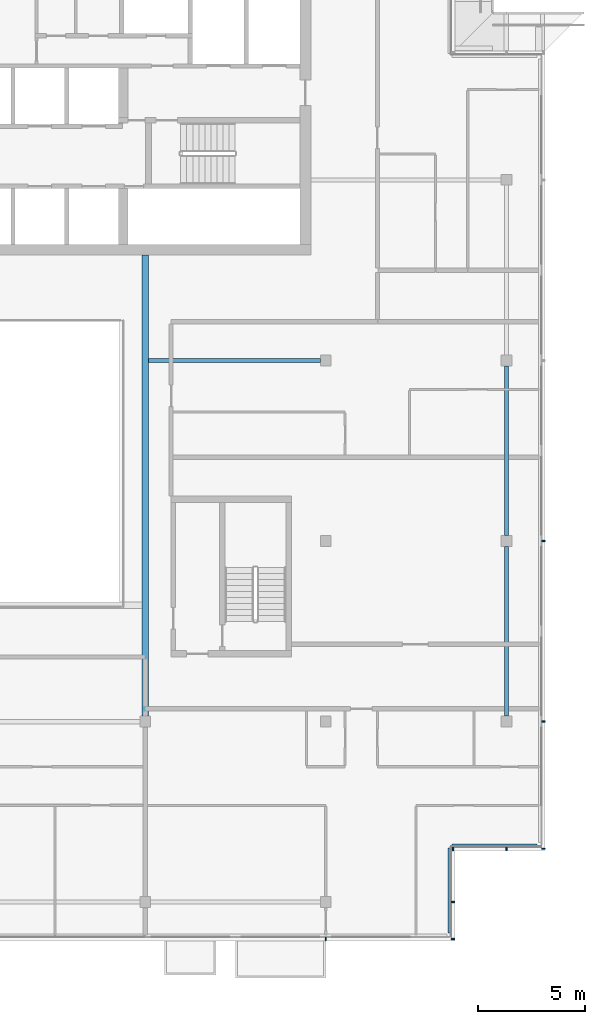
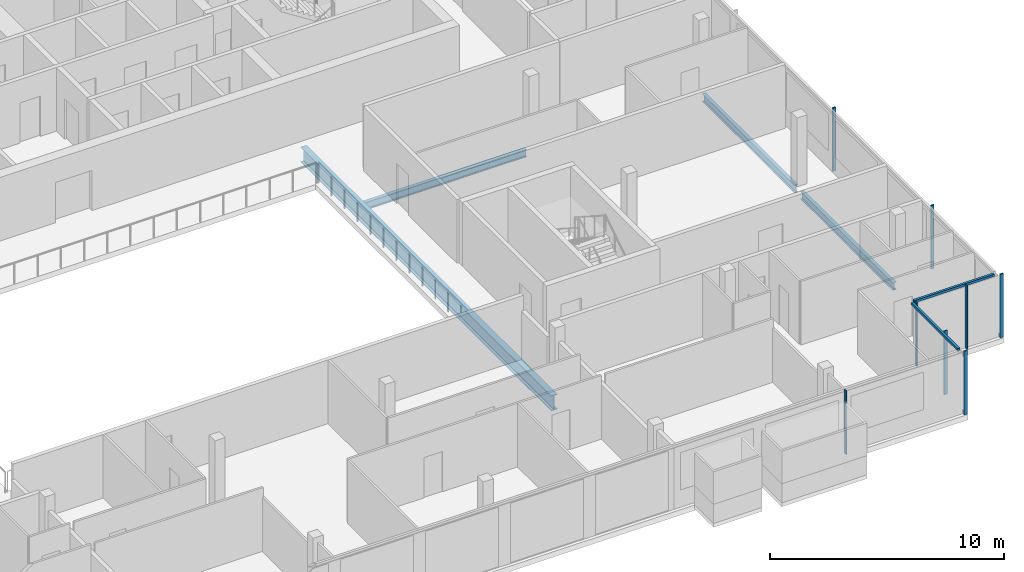
# One storey, part 8 of 24: 10 members, 4 beams, 4 elements without a shape of their own.
"""IFC4 building model written with IfcOpenShell, lengths in metres."""

from ifc_helpers import new_model, si_unit, direction, frame, origin, origin_2d, place, context, subcontext, project, spatial, rectangle, i_section, extrude, material, material_profile, profile_set, type_object, element, aggregate, save


model = new_model("IFC4")

# Units and contexts
model_context = context("Model", 3, precision=1e-05, world=origin(), true_north=direction((0.0, 1.0)))
body_context = subcontext(model_context, "Body", "Model", "MODEL_VIEW")
ifc_project = project(units=[si_unit("LENGTHUNIT", "METRE"), si_unit("AREAUNIT", "SQUARE_METRE"), si_unit("VOLUMEUNIT", "CUBIC_METRE"), si_unit("PLANEANGLEUNIT", "RADIAN"), si_unit("MASSUNIT", "GRAM", prefix="KILO")], contexts=[model_context])

# Site, building, storey
site_placement = place(None, origin())
site = spatial("IfcSite", under=ifc_project, at=site_placement, CompositionType="ELEMENT")
building_placement = place(site_placement, origin())
building = spatial("IfcBuilding", under=site, at=building_placement, Name="Saffron Gate Tower", CompositionType="ELEMENT")
storey_placement = place(building_placement, frame((0.0, 0.0, 281.550048828125)))
storey = spatial("IfcBuildingStorey", under=building, at=storey_placement, Name="L68", CompositionType="ELEMENT", Elevation=281.550048828125)

# Beams
ifc_material_1 = material(Name="Structural steel S355", Category="steel")
ifc_material_profile_1 = material_profile(ifc_material_1, i_section(OverallWidth=0.300048828125, OverallDepth=0.7900390625, WebThickness=0.014892578125, FlangeThickness=0.028076171875, FilletRadius=0.030029296875, at=origin_2d()))
ifc_profile_set_1 = profile_set([ifc_material_profile_1], Name="Structural steel S355")
beam_type_1 = type_object("IfcBeamType", Name="B18 HEA 800", PredefinedType="BEAM", material=ifc_profile_set_1)
beam_1_placement = place(storey_placement, frame((100.199951171875, 40.449951171875, -0.675048828125), z_axis=(0.0, 1.0, 0.0), x_axis=(-1.0, 0.0, 0.0)))
element("IfcBeam", 1, at=beam_1_placement, inside=storey, type_object=beam_type_1, Name="B18 ATRIUM GIRDER", PredefinedType="BEAM", context=body_context, shape_type="SweptSolid", body=[
    extrude(i_section(OverallWidth=0.300048828125, OverallDepth=0.7900390625, WebThickness=0.014892578125, FlangeThickness=0.028076171875, FilletRadius=0.030029296875, at=origin_2d()), origin(), (0.0, 0.0, 1.0), 21.449951171875),
])
ifc_material_profile_2 = material_profile(ifc_material_1, i_section(OverallWidth=0.179931640625, OverallDepth=0.39990234375, WebThickness=0.008544921875, FlangeThickness=0.013427734375, FilletRadius=0.02099609375, at=origin_2d()))
ifc_profile_set_2 = profile_set([ifc_material_profile_2], Name="Structural steel S355")
beam_type_2 = type_object("IfcBeamType", Name="B4 IPE 400", PredefinedType="BEAM", material=ifc_profile_set_2)
beam_2_placement = place(storey_placement, frame((108.35009765625, 57.0, -0.47998046875), z_axis=(-1.0, 0.0, 0.0), x_axis=(0.0, -1.0, 0.0)))
element("IfcBeam", 2, at=beam_2_placement, inside=storey, type_object=beam_type_2, Name="B4 CORE TIE BEAM", PredefinedType="BEAM", context=body_context, shape_type="SweptSolid", body=[
    extrude(i_section(OverallWidth=0.179931640625, OverallDepth=0.39990234375, WebThickness=0.008544921875, FlangeThickness=0.013427734375, FilletRadius=0.02099609375, at=origin_2d()), origin(), (0.0, 0.0, 1.0), 8.0),
])
ifc_material_profile_3 = material_profile(ifc_material_1, i_section(OverallWidth=0.179931640625, OverallDepth=0.39990234375, WebThickness=0.008544921875, FlangeThickness=0.013427734375, FilletRadius=0.02099609375, at=origin_2d()))
ifc_profile_set_3 = profile_set([ifc_material_profile_3], Name="Structural steel S355")
beam_type_3 = type_object("IfcBeamType", Name="B5 IPE 400", PredefinedType="SPANDREL", material=ifc_profile_set_3)
beam_3_placement = place(storey_placement, frame((117.0, 40.449951171875, -0.47998046875), z_axis=(0.0, 1.0, 0.0), x_axis=(-1.0, 0.0, 0.0)))
element("IfcBeam", 3, at=beam_3_placement, inside=storey, type_object=beam_type_3, Name="B5 SPANDREL BEAM", PredefinedType="SPANDREL", context=body_context, shape_type="SweptSolid", body=[
    extrude(i_section(OverallWidth=0.179931640625, OverallDepth=0.39990234375, WebThickness=0.008544921875, FlangeThickness=0.013427734375, FilletRadius=0.02099609375, at=origin_2d()), origin(), (0.0, 0.0, 1.0), 7.900146484375),
])
beam_4_placement = place(storey_placement, frame((117.0, 48.85009765625, -0.47998046875), z_axis=(0.0, 1.0, 0.0), x_axis=(-1.0, 0.0, 0.0)))
element("IfcBeam", 4, at=beam_4_placement, inside=storey, type_object=beam_type_3, Name="B5 SPANDREL BEAM", PredefinedType="SPANDREL", context=body_context, shape_type="SweptSolid", body=[
    extrude(i_section(OverallWidth=0.179931640625, OverallDepth=0.39990234375, WebThickness=0.008544921875, FlangeThickness=0.013427734375, FilletRadius=0.02099609375, at=origin_2d()), origin(), (0.0, 0.0, 1.0), 7.89990234375),
])

# Curtain wall, member
ifc_material_2 = material(Name="Aluminium, bronze anodised", Category="aluminium")
curtain_wall_type_1 = type_object("IfcCurtainWallType", Name="CWS1 curtain wall front facade", PredefinedType="NOTDEFINED", material=ifc_material_2)
curtain_wall_1_placement = place(storey_placement, origin())
curtain_wall_1 = element("IfcCurtainWall", 5, at=curtain_wall_1_placement, inside=storey, type_object=curtain_wall_type_1, Name="CWS1 run 1", PredefinedType="NOTDEFINED")
ifc_material_profile_4 = material_profile(ifc_material_2, rectangle(XDim=0.159912109375, YDim=0.06005859375, at=origin_2d()))
ifc_profile_set_4 = profile_set([ifc_material_profile_4], Name="Aluminium, bronze anodised")
member_type_1 = type_object("IfcMemberType", Name="CWS1 mullion 60x160", PredefinedType="MULLION", material=ifc_profile_set_4)
member_1_placement = place(storey_placement, frame((108.60009765625, 30.080078125, 0.0), z_axis=(0.0, 0.0, 1.0), x_axis=(0.0, 1.0, 0.0)))
member_1 = element("IfcMember", 6, at=member_1_placement, type_object=member_type_1, Name="CWS1 mullion 7", PredefinedType="MULLION", context=body_context, shape_type="SweptSolid", body=[
    extrude(rectangle(XDim=0.159912109375, YDim=0.06005859375, at=origin_2d()), origin(), (0.0, 0.0, 1.0), 3.320068359375),
])
aggregate(curtain_wall_1, [member_1])

# Curtain wall, members
curtain_wall_type_2 = type_object("IfcCurtainWallType", Name="CWS2 curtain wall side facades", PredefinedType="NOTDEFINED", material=ifc_material_2)
curtain_wall_2_placement = place(storey_placement, origin())
curtain_wall_2 = element("IfcCurtainWall", 7, at=curtain_wall_2_placement, inside=storey, type_object=curtain_wall_type_2, Name="CWS2 run 4", PredefinedType="NOTDEFINED")
ifc_material_profile_5 = material_profile(ifc_material_2, rectangle(XDim=0.159912109375, YDim=0.06005859375, at=origin_2d()))
ifc_profile_set_5 = profile_set([ifc_material_profile_5], Name="Aluminium, bronze anodised")
member_type_2 = type_object("IfcMemberType", Name="CWS2 mullion 60x160", PredefinedType="MULLION", material=ifc_profile_set_5)
member_2_placement = place(storey_placement, frame((118.719970703125, 34.280029296875, 0.0), z_axis=(0.0, 0.0, 1.0), x_axis=(-1.0, 0.0, 0.0)))
member_2 = element("IfcMember", 8, at=member_2_placement, type_object=member_type_2, Name="CWS2 mullion 1", PredefinedType="MULLION", context=body_context, shape_type="SweptSolid", body=[
    extrude(rectangle(XDim=0.159912109375, YDim=0.06005859375, at=origin_2d()), origin(), (0.0, 0.0, 1.0), 3.320068359375),
])
member_3_placement = place(storey_placement, frame((118.719970703125, 40.199951171875, 0.0), z_axis=(0.0, 0.0, 1.0), x_axis=(-1.0, 0.0, 0.0)))
member_3 = element("IfcMember", 9, at=member_3_placement, type_object=member_type_2, Name="CWS2 mullion 2", PredefinedType="MULLION", context=body_context, shape_type="SweptSolid", body=[
    extrude(rectangle(XDim=0.159912109375, YDim=0.06005859375, at=origin_2d()), origin(), (0.0, 0.0, 1.0), 3.320068359375),
])
member_4_placement = place(storey_placement, frame((118.719970703125, 48.60009765625, 0.0), z_axis=(0.0, 0.0, 1.0), x_axis=(-1.0, 0.0, 0.0)))
member_4 = element("IfcMember", 10, at=member_4_placement, type_object=member_type_2, Name="CWS2 mullion 3", PredefinedType="MULLION", context=body_context, shape_type="SweptSolid", body=[
    extrude(rectangle(XDim=0.159912109375, YDim=0.06005859375, at=origin_2d()), origin(), (0.0, 0.0, 1.0), 3.320068359375),
])
aggregate(curtain_wall_2, [member_2, member_3, member_4])

# Curtain wall, member
curtain_wall_type_3 = type_object("IfcCurtainWallType", Name="CWS4 curtain wall corner returns", PredefinedType="NOTDEFINED", material=ifc_material_2)
curtain_wall_3_placement = place(storey_placement, origin())
curtain_wall_3 = element("IfcCurtainWall", 11, at=curtain_wall_3_placement, inside=storey, type_object=curtain_wall_type_3, Name="CWS4 run 2", PredefinedType="NOTDEFINED")
ifc_material_profile_6 = material_profile(ifc_material_2, rectangle(XDim=0.1201171875, YDim=0.1201171875, at=origin_2d()))
ifc_profile_set_6 = profile_set([ifc_material_profile_6], Name="Aluminium, bronze anodised")
member_type_3 = type_object("IfcMemberType", Name="CWS4 head transom", PredefinedType="USERDEFINED", material=ifc_profile_set_6)
member_5_placement = place(storey_placement, frame((114.35205078125, 30.367919921875, 3.260009765625), z_axis=(0.0, 1.0, 0.0), x_axis=(-1.0, 0.0, 0.0)))
member_5 = element("IfcMember", 12, at=member_5_placement, type_object=member_type_3, Name="CWS4 head transom", ObjectType="TRANSOM", PredefinedType="USERDEFINED", context=body_context, shape_type="SweptSolid", body=[
    extrude(rectangle(XDim=0.1201171875, YDim=0.1201171875, at=origin_2d()), origin(), (0.0, 0.0, 1.0), 3.9599609375),
])

curtain_wall_4_placement = place(storey_placement, origin())
curtain_wall_4 = element("IfcCurtainWall", 13, at=curtain_wall_4_placement, inside=storey, type_object=curtain_wall_type_3, Name="CWS4 run 3", PredefinedType="NOTDEFINED")
member_6_placement = place(storey_placement, frame((114.471923828125, 34.447998046875, 3.260009765625), z_axis=(1.0, 0.0, 0.0), x_axis=(0.0, 1.0, 0.0)))
member_6 = element("IfcMember", 14, at=member_6_placement, type_object=member_type_3, Name="CWS4 head transom", ObjectType="TRANSOM", PredefinedType="USERDEFINED", context=body_context, shape_type="SweptSolid", body=[
    extrude(rectangle(XDim=0.1201171875, YDim=0.1201171875, at=origin_2d()), origin(), (0.0, 0.0, 1.0), 3.9599609375),
])

# Member
ifc_material_profile_7 = material_profile(ifc_material_2, rectangle(XDim=0.159912109375, YDim=0.06005859375, at=origin_2d()))
ifc_profile_set_7 = profile_set([ifc_material_profile_7], Name="Aluminium, bronze anodised")
member_type_4 = type_object("IfcMemberType", Name="CWS4 mullion 60x160", PredefinedType="MULLION", material=ifc_profile_set_7)
member_7_placement = place(storey_placement, frame((114.52001953125, 30.080078125, 0.0), z_axis=(0.0, 0.0, 1.0), x_axis=(-1.0, 0.0, 0.0)))
member_7 = element("IfcMember", 15, at=member_7_placement, type_object=member_type_4, Name="CWS4 mullion 1", PredefinedType="MULLION", context=body_context, shape_type="SweptSolid", body=[
    extrude(rectangle(XDim=0.159912109375, YDim=0.06005859375, at=origin_2d()), origin(), (0.0, 0.0, 1.0), 3.320068359375),
])

member_8_placement = place(storey_placement, frame((114.52001953125, 31.800048828125, 0.0), z_axis=(0.0, 0.0, 1.0), x_axis=(-1.0, 0.0, 0.0)))
member_8 = element("IfcMember", 16, at=member_8_placement, type_object=member_type_4, Name="CWS4 mullion 2", PredefinedType="MULLION", context=body_context, shape_type="SweptSolid", body=[
    extrude(rectangle(XDim=0.159912109375, YDim=0.06005859375, at=origin_2d()), origin(), (0.0, 0.0, 1.0), 3.320068359375),
])

aggregate(curtain_wall_3, [member_7, member_8, member_5])

member_9_placement = place(storey_placement, frame((114.52001953125, 34.280029296875, 0.0), z_axis=(0.0, 0.0, 1.0), x_axis=(0.0, 1.0, 0.0)))
member_9 = element("IfcMember", 17, at=member_9_placement, type_object=member_type_4, Name="CWS4 mullion 1", PredefinedType="MULLION", context=body_context, shape_type="SweptSolid", body=[
    extrude(rectangle(XDim=0.159912109375, YDim=0.06005859375, at=origin_2d()), origin(), (0.0, 0.0, 1.0), 3.320068359375),
])

member_10_placement = place(storey_placement, frame((117.0, 34.280029296875, 0.0), z_axis=(0.0, 0.0, 1.0), x_axis=(0.0, 1.0, 0.0)))
member_10 = element("IfcMember", 18, at=member_10_placement, type_object=member_type_4, Name="CWS4 mullion 2", PredefinedType="MULLION", context=body_context, shape_type="SweptSolid", body=[
    extrude(rectangle(XDim=0.159912109375, YDim=0.06005859375, at=origin_2d()), origin(), (0.0, 0.0, 1.0), 3.320068359375),
])

aggregate(curtain_wall_4, [member_9, member_10, member_6])

save(model, "model.ifc")
